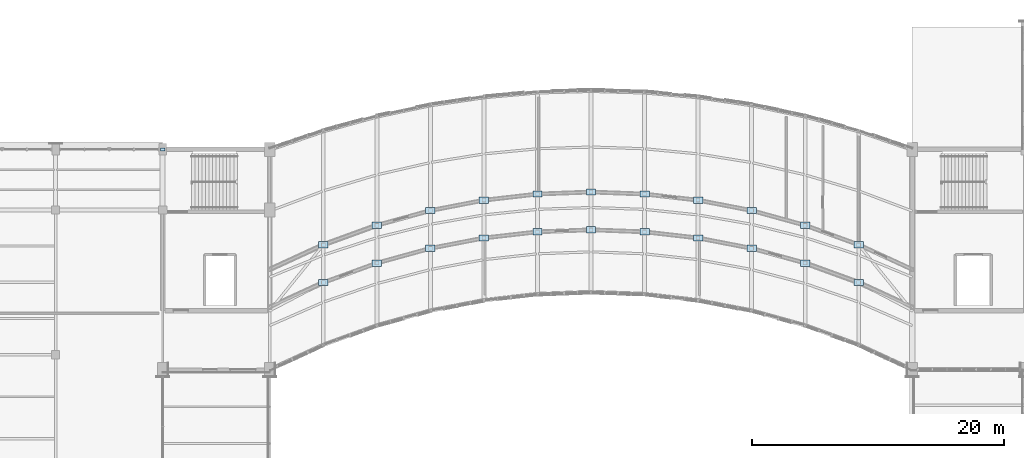
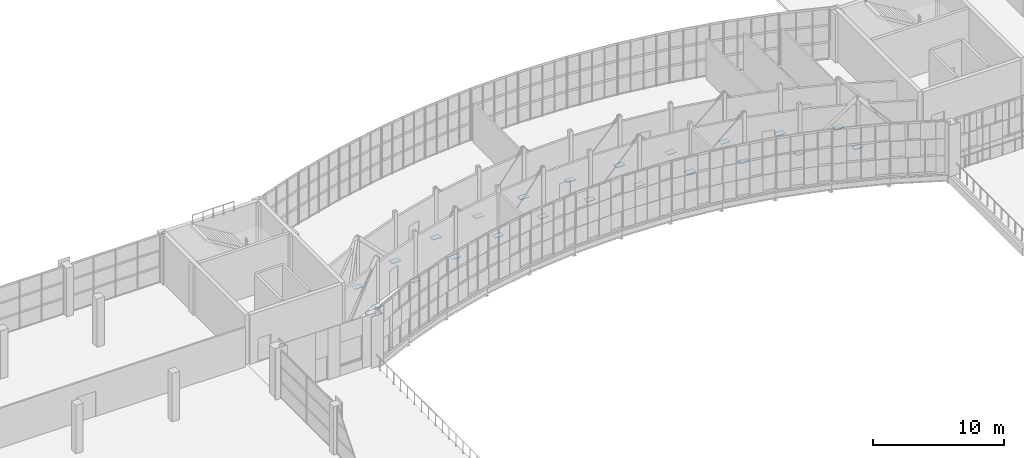
# One storey, part 65 of 86: 23 plates.
"""IFC4 building model written with IfcOpenShell, lengths in metres."""

from ifc_helpers import new_model, si_unit, direction, frame, origin, origin_2d, place, context, subcontext, project, spatial, rectangle, extrude, material, layer, layer_set, type_object, element, save


model = new_model("IFC4")

# Units and contexts
model_context = context("Model", 3, precision=1e-05, world=origin(), true_north=direction((0.0, 1.0)))
body_context = subcontext(model_context, "Body", "Model", "MODEL_VIEW")
ifc_project = project(units=[si_unit("LENGTHUNIT", "METRE"), si_unit("AREAUNIT", "SQUARE_METRE"), si_unit("VOLUMEUNIT", "CUBIC_METRE"), si_unit("PLANEANGLEUNIT", "RADIAN"), si_unit("MASSUNIT", "GRAM", prefix="KILO")], contexts=[model_context])

# Site, building, storey
site_placement = place(None, origin())
site = spatial("IfcSite", under=ifc_project, at=site_placement, CompositionType="ELEMENT")
building_placement = place(site_placement, origin())
building = spatial("IfcBuilding", under=site, at=building_placement, Name="Solvikara Media Centre", CompositionType="ELEMENT")
storey_placement = place(building_placement, frame((0.0, 0.0, 15.0)))
storey = spatial("IfcBuildingStorey", under=building, at=storey_placement, Name="L03", CompositionType="ELEMENT", Elevation=15.0)

# Plates
ifc_material = material(Name="Steel S355JR", Category="steel")
ifc_layer_1 = layer(ifc_material, 0.028076171875)
ifc_layer_set_1 = layer_set([ifc_layer_1], Name="Steel S355JR")
plate_type_1 = type_object("IfcPlateType", Name="PL-01", PredefinedType="USERDEFINED", material=ifc_layer_set_1)
for number, where, z_axis, x_axis, name in (
    (1, (80.75, 26.22900390625, -0.4140625), (0.0, 0.0, 1.0), (1.0, 0.0, 0.0), "GP-L03-S-01"),
    (2, (85.0, 27.77392578125, -0.4140625), (0.0, 0.0, 1.0), (1.0, 0.0, 0.0), "GP-L03-S-02"),
    (3, (89.25, 28.946044921875, -0.4140625), (0.0, 0.0, 1.0), (1.0, 0.0, 0.0), "GP-L03-S-03"),
    (4, (93.5, 29.76806640625, -0.4140625), (0.0, 0.0, 1.0), (1.0, 0.0, 0.0), "GP-L03-S-04"),
    (5, (97.75, 30.2548828125, -0.4140625), (0.0, 0.0, 1.0), (1.0, 0.0, 0.0), "GP-L03-S-05"),
    (6, (102.0, 30.4169921875, -0.4140625), (0.0, 0.0, 1.0), (1.0, 0.0, 0.0), "GP-L03-S-06"),
    (7, (106.25, 30.2548828125, -0.4140625), (0.0, 0.0, 1.0), (1.0, 0.0, 0.0), "GP-L03-S-07"),
    (8, (110.5, 29.76806640625, -0.4140625), (0.0, 0.0, 1.0), (1.0, 0.0, 0.0), "GP-L03-S-08"),
    (9, (114.75, 28.946044921875, -0.4140625), (0.0, 0.0, 1.0), (1.0, 0.0, 0.0), "GP-L03-S-09"),
    (10, (119.0, 27.77392578125, -0.4140625), (0.0, 0.0, 1.0), (1.0, 0.0, 0.0), "GP-L03-S-10"),
    (11, (123.25, 26.22900390625, -0.4140625), (0.0, 0.0, 1.0), (1.0, 0.0, 0.0), "GP-L03-S-11"),
    (12, (80.75, 29.22900390625, -0.4140625), (0.0, 0.0, 1.0), (1.0, 0.0, 0.0), "GP-L03-N-01"),
    (13, (85.0, 30.77392578125, -0.4140625), (0.0, 0.0, 1.0), (1.0, 0.0, 0.0), "GP-L03-N-02"),
    (14, (89.25, 31.946044921875, -0.4140625), (0.0, 0.0, 1.0), (1.0, 0.0, 0.0), "GP-L03-N-03"),
    (15, (93.5, 32.76806640625, -0.4140625), (0.0, 0.0, 1.0), (1.0, 0.0, 0.0), "GP-L03-N-04"),
    (16, (97.75, 33.2548828125, -0.4140625), (0.0, 0.0, 1.0), (1.0, 0.0, 0.0), "GP-L03-N-05"),
    (17, (102.0, 33.4169921875, -0.4140625), (0.0, 0.0, 1.0), (1.0, 0.0, 0.0), "GP-L03-N-06"),
    (18, (106.25, 33.2548828125, -0.4140625), (0.0, 0.0, 1.0), (1.0, 0.0, 0.0), "GP-L03-N-07"),
    (19, (110.5, 32.76806640625, -0.4140625), (0.0, 0.0, 1.0), (1.0, 0.0, 0.0), "GP-L03-N-08"),
    (20, (114.75, 31.946044921875, -0.4140625), (0.0, 0.0, 1.0), (1.0, 0.0, 0.0), "GP-L03-N-09"),
    (21, (119.0, 30.77392578125, -0.4140625), (0.0, 0.0, 1.0), (1.0, 0.0, 0.0), "GP-L03-N-10"),
    (22, (123.25, 29.22900390625, -0.4140625), (0.0, 0.0, 1.0), (1.0, 0.0, 0.0), "GP-L03-N-11"),
):
    element("IfcPlate", number, at=place(storey_placement, frame(where, z_axis=z_axis, x_axis=x_axis)), inside=storey, type_object=plate_type_1, Name=name, ObjectType="GUSSET PLATE", PredefinedType="USERDEFINED", context=body_context, shape_type="SweptSolid", body=[
        extrude(rectangle(XDim=0.75, YDim=0.5, at=origin_2d()), origin(), (0.0, 0.0, 1.0), 0.028076171875),
    ])
ifc_layer_2 = layer(ifc_material, 0.01806640625)
ifc_layer_set_2 = layer_set([ifc_layer_2], Name="Steel S355JR")
plate_type_2 = type_object("IfcPlateType", Name="PL-10", PredefinedType="USERDEFINED", material=ifc_layer_set_2)
plate_placement = place(storey_placement, frame((68.0, 36.800048828125, 4.490966796875), z_axis=(0.0, 0.0, 1.0), x_axis=(1.0, 0.0, 0.0)))
element("IfcPlate", 23, at=plate_placement, inside=storey, type_object=plate_type_2, Name="ECP-PL10-05", ObjectType="GUSSET PLATE", PredefinedType="USERDEFINED", context=body_context, shape_type="SweptSolid", body=[
    extrude(rectangle(XDim=0.340087890625, YDim=0.239990234375, at=origin_2d()), origin(), (0.0, 0.0, 1.0), 0.01806640625),
])

save(model, "model.ifc")
